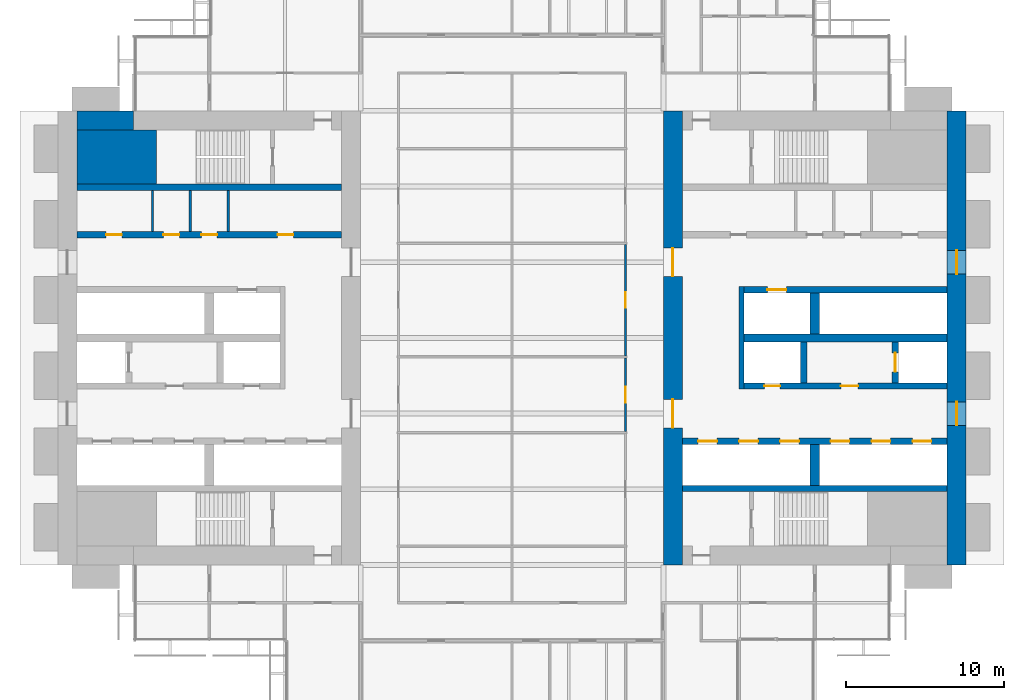
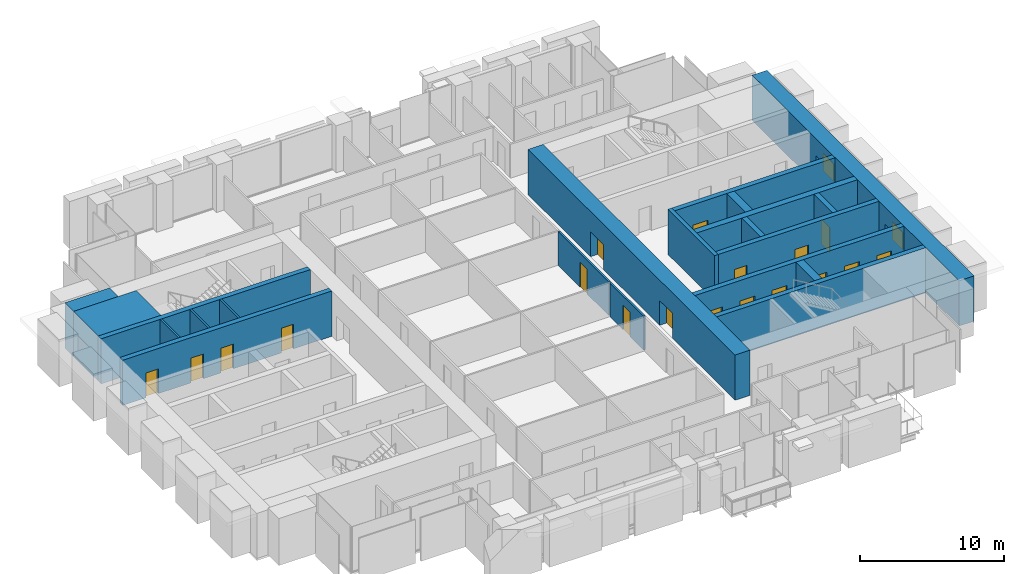
# One storey, part 11 of 15: 21 walls, 18 doors, 2 windows, 20 openings.
"""IFC4 building model written with IfcOpenShell, lengths in metres."""

from ifc_helpers import new_model, si_unit, direction, frame, frame_2d, origin, place, context, subcontext, project, spatial, rectangle, extrude, material, layer, layer_set, type_object, element, fill, save


model = new_model("IFC4")

# Units and contexts
model_context = context("Model", 3, precision=1e-05, world=origin(), true_north=direction((0.0, 1.0)))
body_context = subcontext(model_context, "Body", "Model", "MODEL_VIEW")
ifc_project = project(units=[si_unit("LENGTHUNIT", "METRE"), si_unit("AREAUNIT", "SQUARE_METRE"), si_unit("VOLUMEUNIT", "CUBIC_METRE"), si_unit("PLANEANGLEUNIT", "RADIAN"), si_unit("MASSUNIT", "GRAM", prefix="KILO")], contexts=[model_context])

# Site, building, storey
site_placement = place(None, origin())
site = spatial("IfcSite", under=ifc_project, at=site_placement, CompositionType="ELEMENT")
building_placement = place(site_placement, origin())
building = spatial("IfcBuilding", under=site, at=building_placement, Name="Baori Bourse Tower", CompositionType="ELEMENT")
storey_placement = place(building_placement, frame((0.0, 0.0, 59.0)))
storey = spatial("IfcBuildingStorey", under=building, at=storey_placement, Name="L12", CompositionType="ELEMENT", Elevation=59.0)

# Walls
ifc_material_1 = material(Name="Concrete f'c 70 MPa", Category="concrete")
wall_type_1 = type_object("IfcWallType", Name="Core corner block f'c 70", PredefinedType="SHEAR", material=ifc_material_1)
wall_1_placement = place(storey_placement, frame((1.199951171875, 35.47509765625, 0.0), z_axis=(0.0, 0.0, 1.0), x_axis=(1.0, 0.0, 0.0)))
element("IfcWall", 1, at=wall_1_placement, inside=storey, type_object=wall_type_1, Name="Core wall W22", PredefinedType="SHEAR", context=body_context, shape_type="SweptSolid", body=[
    extrude(rectangle(XDim=5.050048828125, YDim=3.449951171875, at=frame_2d((2.52490234375, 0.0))), origin(), (0.0, 0.0, 1.0), 3.840087890625),
])
ifc_material_2 = material(Name="Blockwork partition", Category="masonry")
ifc_layer_1 = layer(ifc_material_2, 0.14990234375)
ifc_layer_set_1 = layer_set([ifc_layer_1], Name="Core partition 150")
wall_type_2 = type_object("IfcWallType", Name="Core partition 150", PredefinedType="PARTITIONING", material=ifc_layer_set_1)
for number, where, z_axis, x_axis, name in (
    (2, (6.0, 30.75, 0.0), (0.0, 0.0, 1.0), (0.0, 1.0, 0.0), "Partition wall W18"),
    (3, (8.39990234375, 30.75, 0.0), (0.0, 0.0, 1.0), (0.0, 1.0, 0.0), "Partition wall W19"),
    (4, (10.800048828125, 30.75, 0.0), (0.0, 0.0, 1.0), (0.0, 1.0, 0.0), "Partition wall W20"),
):
    element("IfcWall", number, at=place(storey_placement, frame(where, z_axis=z_axis, x_axis=x_axis)), inside=storey, type_object=wall_type_2, Name=name, PredefinedType="PARTITIONING", context=body_context, shape_type="SweptSolid", body=[
        extrude(rectangle(XDim=2.60009765625, YDim=0.14990234375, at=frame_2d((1.300048828125, 0.0))), origin(), (0.0, 0.0, 1.0), 3.840087890625),
    ])
ifc_material_3 = material(Name="Concrete f'c 70 MPa", Category="concrete")
ifc_layer_2 = layer(ifc_material_3, 1.199951171875)
ifc_layer_set_2 = layer_set([ifc_layer_2], Name="Core wall 1200 f'c 70")
wall_type_3 = type_object("IfcWallType", Name="Core wall 1200 f'c 70", PredefinedType="SHEAR", material=ifc_layer_set_2)
wall_2_placement = place(storey_placement, frame((1.199951171875, 37.800048828125, 0.0), z_axis=(0.0, 0.0, 1.0), x_axis=(1.0, 0.0, 0.0)))
element("IfcWall", 5, at=wall_2_placement, inside=storey, type_object=wall_type_3, Name="Core wall W24", PredefinedType="SHEAR", context=body_context, shape_type="SweptSolid", body=[
    extrude(rectangle(XDim=3.60009765625, YDim=1.199951171875, at=frame_2d((1.800048828125, 0.0))), origin(), (0.0, 0.0, 1.0), 3.840087890625),
])

# Wall, openings, windows
wall_3_placement = place(storey_placement, frame((57.0, 38.39990234375, 0.0), z_axis=(0.0, 0.0, 1.0), x_axis=(0.0, -1.0, 0.0)))
wall_3 = element("IfcWall", 6, at=wall_3_placement, inside=storey, type_object=wall_type_3, Name="Core wall E01", PredefinedType="SHEAR", context=body_context, shape_type="SweptSolid", body=[
    extrude(rectangle(XDim=28.7998046875, YDim=1.199951171875, at=frame_2d((14.39990234375, 0.0))), origin(), (0.0, 0.0, 1.0), 3.840087890625),
])
opening_1_placement = place(wall_3_placement, frame((18.449951171875, 0.0, 0.89990234375)))
opening_1 = element("IfcOpeningElement", 7, at=opening_1_placement, cuts=wall_3, Name="Opening L12-KW201", PredefinedType="OPENING", context=body_context, shape_type="SweptSolid", body=[
    extrude(rectangle(XDim=1.5, YDim=1.5, at=frame_2d((0.75, 0.75))), frame((0.0, 0.60986328125, 0.0), z_axis=(0.0, -1.0, 0.0), x_axis=(1.0, 0.0, 0.0)), (0.0, 0.0, 1.0), 1.219970703125),
])
opening_2_placement = place(wall_3_placement, frame((8.85009765625, 0.0, 0.89990234375)))
opening_2 = element("IfcOpeningElement", 8, at=opening_2_placement, cuts=wall_3, Name="Opening L12-KW202", PredefinedType="OPENING", context=body_context, shape_type="SweptSolid", body=[
    extrude(rectangle(XDim=1.5, YDim=1.5, at=frame_2d((0.75, 0.75))), frame((0.0, 0.60986328125, 0.0), z_axis=(0.0, -1.0, 0.0), x_axis=(1.0, 0.0, 0.0)), (0.0, 0.0, 1.0), 1.219970703125),
])
ifc_material_4 = material(Name="Pale anodised aluminium", Category="aluminium")
window_type = type_object("IfcWindowType", Name="Lobby window 1500 x 1500", PartitioningType="SINGLE_PANEL", PredefinedType="WINDOW", material=ifc_material_4)
window_1_placement = place(opening_1_placement, origin())
window_1 = element("IfcWindow", 9, at=window_1_placement, inside=storey, type_object=window_type, Name="Outer wall window E L12 1", OverallHeight=1.5, OverallWidth=1.5, PartitioningType="SINGLE_PANEL", PredefinedType="WINDOW", context=body_context, shape_type="SweptSolid", body=[
    extrude(rectangle(XDim=1.5, YDim=1.5, at=frame_2d((0.75, 0.75))), frame((0.0, 0.030029296875, 0.0), z_axis=(0.0, -1.0, 0.0), x_axis=(1.0, 0.0, 0.0)), (0.0, 0.0, 1.0), 0.06005859375),
])
fill(opening_1, window_1)
window_2_placement = place(opening_2_placement, origin())
window_2 = element("IfcWindow", 10, at=window_2_placement, inside=storey, type_object=window_type, Name="Outer wall window E L12 2", OverallHeight=1.5, OverallWidth=1.5, PartitioningType="SINGLE_PANEL", PredefinedType="WINDOW", context=body_context, shape_type="SweptSolid", body=[
    extrude(rectangle(XDim=1.5, YDim=1.5, at=frame_2d((0.75, 0.75))), frame((0.0, 0.030029296875, 0.0), z_axis=(0.0, -1.0, 0.0), x_axis=(1.0, 0.0, 0.0)), (0.0, 0.0, 1.0), 0.06005859375),
])
fill(opening_2, window_2)

# Wall, openings, doors
wall_4_placement = place(storey_placement, frame((39.0, 9.60009765625, 0.0), z_axis=(0.0, 0.0, 1.0), x_axis=(0.0, 1.0, 0.0)))
wall_4 = element("IfcWall", 11, at=wall_4_placement, inside=storey, type_object=wall_type_3, Name="Core wall E04", PredefinedType="SHEAR", context=body_context, shape_type="SweptSolid", body=[
    extrude(rectangle(XDim=28.7998046875, YDim=1.199951171875, at=frame_2d((14.39990234375, 0.0))), origin(), (0.0, 0.0, 1.0), 3.840087890625),
])
opening_3_placement = place(wall_4_placement, frame((8.699951171875, 0.0, 0.0)))
opening_3 = element("IfcOpeningElement", 12, at=opening_3_placement, cuts=wall_4, Name="Opening L12-D207", PredefinedType="OPENING", context=body_context, shape_type="SweptSolid", body=[
    extrude(rectangle(XDim=1.800048828125, YDim=2.10009765625, at=frame_2d((0.89990234375, 1.050048828125))), frame((0.0, 0.60986328125, 0.0), z_axis=(0.0, -1.0, 0.0), x_axis=(1.0, 0.0, 0.0)), (0.0, 0.0, 1.0), 1.219970703125),
])
opening_4_placement = place(wall_4_placement, frame((18.300048828125, 0.0, 0.0)))
opening_4 = element("IfcOpeningElement", 13, at=opening_4_placement, cuts=wall_4, Name="Opening L12-D208", PredefinedType="OPENING", context=body_context, shape_type="SweptSolid", body=[
    extrude(rectangle(XDim=1.800048828125, YDim=2.10009765625, at=frame_2d((0.89990234375, 1.050048828125))), frame((0.0, 0.60986328125, 0.0), z_axis=(0.0, -1.0, 0.0), x_axis=(1.0, 0.0, 0.0)), (0.0, 0.0, 1.0), 1.219970703125),
])
ifc_material_5 = material(Name="Painted steel door", Category="steel")
door_type_1 = type_object("IfcDoorType", Name="Core lobby door 1800", OperationType="DOUBLE_DOOR_SINGLE_SWING", PredefinedType="DOOR", material=ifc_material_5)
door_1_placement = place(opening_3_placement, origin())
door_1 = element("IfcDoor", 14, at=door_1_placement, inside=storey, type_object=door_type_1, Name="Lobby door E L12", OperationType="DOUBLE_DOOR_SINGLE_SWING", OverallHeight=2.10009765625, OverallWidth=1.800048828125, PredefinedType="DOOR", context=body_context, shape_type="SweptSolid", body=[
    extrude(rectangle(XDim=1.800048828125, YDim=2.10009765625, at=frame_2d((0.89990234375, 1.050048828125))), frame((0.0, 0.02490234375, 0.0), z_axis=(0.0, -1.0, 0.0), x_axis=(1.0, 0.0, 0.0)), (0.0, 0.0, 1.0), 0.050048828125),
])
fill(opening_3, door_1)
door_2_placement = place(opening_4_placement, origin())
door_2 = element("IfcDoor", 15, at=door_2_placement, inside=storey, type_object=door_type_1, Name="Lobby door E L12", OperationType="DOUBLE_DOOR_SINGLE_SWING", OverallHeight=2.10009765625, OverallWidth=1.800048828125, PredefinedType="DOOR", context=body_context, shape_type="SweptSolid", body=[
    extrude(rectangle(XDim=1.800048828125, YDim=2.10009765625, at=frame_2d((0.89990234375, 1.050048828125))), frame((0.0, 0.02490234375, 0.0), z_axis=(0.0, -1.0, 0.0), x_axis=(1.0, 0.0, 0.0)), (0.0, 0.0, 1.0), 0.050048828125),
])
fill(opening_4, door_2)

# Wall, opening, door
ifc_material_6 = material(Name="Gypsum board partition")
ifc_layer_3 = layer(ifc_material_6, 0.14990234375)
ifc_layer_set_3 = layer_set([ifc_layer_3], Name="Corridor partition 150")
wall_type_4 = type_object("IfcWallType", Name="Corridor partition 150", PredefinedType="PARTITIONING", material=ifc_layer_set_3)
wall_5_placement = place(storey_placement, frame((36.0, 18.0625, 0.0), z_axis=(0.0, 0.0, 1.0), x_axis=(0.0, 1.0, 0.0)))
wall_5 = element("IfcWall", 16, at=wall_5_placement, inside=storey, type_object=wall_type_4, Name="Partition", PredefinedType="PARTITIONING", context=body_context, shape_type="SweptSolid", body=[
    extrude(rectangle(XDim=4.675048828125, YDim=0.14990234375, at=frame_2d((2.33740234375, 0.0))), origin(), (0.0, 0.0, 1.0), 2.86962890625),
])
opening_5_placement = place(wall_5_placement, frame((1.83740234375, 0.0, 0.0)))
opening_5 = element("IfcOpeningElement", 17, at=opening_5_placement, cuts=wall_5, Name="Opening L12-D28", PredefinedType="OPENING", context=body_context, shape_type="SweptSolid", body=[
    extrude(rectangle(XDim=1.0, YDim=2.10009765625, at=frame_2d((0.5, 1.050048828125))), frame((0.0, 0.0849609375, 0.0), z_axis=(0.0, -1.0, 0.0), x_axis=(1.0, 0.0, 0.0)), (0.0, 0.0, 1.0), 0.169921875),
])
ifc_material_7 = material(Name="Timber door leaf", Category="wood")
door_type_2 = type_object("IfcDoorType", Name="Door 1000 x 2100", OperationType="SINGLE_SWING_LEFT", PredefinedType="DOOR", material=ifc_material_7)
door_3_placement = place(opening_5_placement, origin())
door_3 = element("IfcDoor", 18, at=door_3_placement, inside=storey, type_object=door_type_2, Name="Door", OperationType="SINGLE_SWING_RIGHT", OverallHeight=2.10009765625, OverallWidth=1.0, PredefinedType="DOOR", context=body_context, shape_type="SweptSolid", body=[
    extrude(rectangle(XDim=1.0, YDim=2.10009765625, at=frame_2d((0.5, 1.050048828125))), frame((0.0, 0.02490234375, 0.0), z_axis=(0.0, -1.0, 0.0), x_axis=(1.0, 0.0, 0.0)), (0.0, 0.0, 1.0), 0.050048828125),
])
fill(opening_5, door_3)

wall_6_placement = place(storey_placement, frame((36.0, 22.862548828125, 0.0), z_axis=(0.0, 0.0, 1.0), x_axis=(0.0, 1.0, 0.0)))
wall_6 = element("IfcWall", 19, at=wall_6_placement, inside=storey, type_object=wall_type_4, Name="Partition", PredefinedType="PARTITIONING", context=body_context, shape_type="SweptSolid", body=[
    extrude(rectangle(XDim=7.074951171875, YDim=0.14990234375, at=frame_2d((3.53759765625, 0.0))), origin(), (0.0, 0.0, 1.0), 2.86962890625),
])
opening_6_placement = place(wall_6_placement, frame((3.03759765625, 0.0, 0.0)))
opening_6 = element("IfcOpeningElement", 20, at=opening_6_placement, cuts=wall_6, Name="Opening L12-D29", PredefinedType="OPENING", context=body_context, shape_type="SweptSolid", body=[
    extrude(rectangle(XDim=1.0, YDim=2.10009765625, at=frame_2d((0.5, 1.050048828125))), frame((0.0, 0.0849609375, 0.0), z_axis=(0.0, -1.0, 0.0), x_axis=(1.0, 0.0, 0.0)), (0.0, 0.0, 1.0), 0.169921875),
])
door_4_placement = place(opening_6_placement, origin())
door_4 = element("IfcDoor", 21, at=door_4_placement, inside=storey, type_object=door_type_2, Name="Door", OperationType="SINGLE_SWING_RIGHT", OverallHeight=2.10009765625, OverallWidth=1.0, PredefinedType="DOOR", context=body_context, shape_type="SweptSolid", body=[
    extrude(rectangle(XDim=1.0, YDim=2.10009765625, at=frame_2d((0.5, 1.050048828125))), frame((0.0, 0.02490234375, 0.0), z_axis=(0.0, -1.0, 0.0), x_axis=(1.0, 0.0, 0.0)), (0.0, 0.0, 1.0), 0.050048828125),
])
fill(opening_6, door_4)

# Wall
ifc_material_8 = material(Name="Concrete f'c 70 MPa", Category="concrete")
ifc_layer_4 = layer(ifc_material_8, 0.300048828125)
ifc_layer_set_4 = layer_set([ifc_layer_4], Name="Shaft wall 300 f'c 70")
wall_type_5 = type_object("IfcWallType", Name="Shaft wall 300 f'c 70", PredefinedType="SHEAR", material=ifc_layer_set_4)
wall_7_placement = place(storey_placement, frame((43.35009765625, 20.75, 0.0), z_axis=(0.0, 0.0, 1.0), x_axis=(0.0, 1.0, 0.0)))
element("IfcWall", 22, at=wall_7_placement, inside=storey, type_object=wall_type_5, Name="Core wall E11", PredefinedType="SHEAR", context=body_context, shape_type="SweptSolid", body=[
    extrude(rectangle(XDim=6.5, YDim=0.300048828125, at=frame_2d((3.25, 0.0))), origin(), (0.0, 0.0, 1.0), 3.840087890625),
])

# Wall, openings, doors
ifc_material_9 = material(Name="Concrete f'c 70 MPa", Category="concrete")
ifc_layer_5 = layer(ifc_material_9, 0.39990234375)
ifc_layer_set_5 = layer_set([ifc_layer_5], Name="Shaft wall 400 f'c 70")
wall_type_6 = type_object("IfcWallType", Name="Shaft wall 400 f'c 70", PredefinedType="SHEAR", material=ifc_layer_set_5)
wall_8_placement = place(storey_placement, frame((1.199951171875, 30.550048828125, 0.0), z_axis=(0.0, 0.0, 1.0), x_axis=(1.0, 0.0, 0.0)))
wall_8 = element("IfcWall", 23, at=wall_8_placement, inside=storey, type_object=wall_type_6, Name="Core wall W17", PredefinedType="SHEAR", context=body_context, shape_type="SweptSolid", body=[
    extrude(rectangle(XDim=16.800048828125, YDim=0.39990234375, at=frame_2d((8.39990234375, 0.0))), origin(), (0.0, 0.0, 1.0), 3.840087890625),
])
opening_7_placement = place(wall_8_placement, frame((1.862548828125, 0.0, 0.0)))
opening_7 = element("IfcOpeningElement", 24, at=opening_7_placement, cuts=wall_8, Name="Opening L12-D109", PredefinedType="OPENING", context=body_context, shape_type="SweptSolid", body=[
    extrude(rectangle(XDim=1.0, YDim=2.10009765625, at=frame_2d((0.5, 1.050048828125))), frame((0.0, 0.2099609375, 0.0), z_axis=(0.0, -1.0, 0.0), x_axis=(1.0, 0.0, 0.0)), (0.0, 0.0, 1.0), 0.419921875),
])
opening_8_placement = place(wall_8_placement, frame((5.5, 0.0, 0.0)))
opening_8 = element("IfcOpeningElement", 25, at=opening_8_placement, cuts=wall_8, Name="Opening L12-D110", PredefinedType="OPENING", context=body_context, shape_type="SweptSolid", body=[
    extrude(rectangle(XDim=1.0, YDim=2.10009765625, at=frame_2d((0.5, 1.050048828125))), frame((0.0, 0.2099609375, 0.0), z_axis=(0.0, -1.0, 0.0), x_axis=(1.0, 0.0, 0.0)), (0.0, 0.0, 1.0), 0.419921875),
])
opening_9_placement = place(wall_8_placement, frame((7.89990234375, 0.0, 0.0)))
opening_9 = element("IfcOpeningElement", 26, at=opening_9_placement, cuts=wall_8, Name="Opening L12-D111", PredefinedType="OPENING", context=body_context, shape_type="SweptSolid", body=[
    extrude(rectangle(XDim=1.0, YDim=2.10009765625, at=frame_2d((0.5, 1.050048828125))), frame((0.0, 0.2099609375, 0.0), z_axis=(0.0, -1.0, 0.0), x_axis=(1.0, 0.0, 0.0)), (0.0, 0.0, 1.0), 0.419921875),
])
opening_10_placement = place(wall_8_placement, frame((12.737548828125, 0.0, 0.0)))
opening_10 = element("IfcOpeningElement", 27, at=opening_10_placement, cuts=wall_8, Name="Opening L12-D112", PredefinedType="OPENING", context=body_context, shape_type="SweptSolid", body=[
    extrude(rectangle(XDim=1.0, YDim=2.10009765625, at=frame_2d((0.5, 1.050048828125))), frame((0.0, 0.2099609375, 0.0), z_axis=(0.0, -1.0, 0.0), x_axis=(1.0, 0.0, 0.0)), (0.0, 0.0, 1.0), 0.419921875),
])
ifc_material_10 = material(Name="Painted steel door", Category="steel")
door_type_3 = type_object("IfcDoorType", Name="Core door 1000", OperationType="SINGLE_SWING_LEFT", PredefinedType="DOOR", material=ifc_material_10)
door_5_placement = place(opening_7_placement, origin())
door_5 = element("IfcDoor", 28, at=door_5_placement, inside=storey, type_object=door_type_3, Name="Women'S Wc door W L12", OperationType="SINGLE_SWING_LEFT", OverallHeight=2.10009765625, OverallWidth=1.0, PredefinedType="DOOR", context=body_context, shape_type="SweptSolid", body=[
    extrude(rectangle(XDim=1.0, YDim=2.10009765625, at=frame_2d((0.5, 1.050048828125))), frame((0.0, 0.02490234375, 0.0), z_axis=(0.0, -1.0, 0.0), x_axis=(1.0, 0.0, 0.0)), (0.0, 0.0, 1.0), 0.050048828125),
])
fill(opening_7, door_5)
door_6_placement = place(opening_8_placement, origin())
door_6 = element("IfcDoor", 29, at=door_6_placement, inside=storey, type_object=door_type_3, Name="Accessible Wc door W L12", OperationType="SINGLE_SWING_LEFT", OverallHeight=2.10009765625, OverallWidth=1.0, PredefinedType="DOOR", context=body_context, shape_type="SweptSolid", body=[
    extrude(rectangle(XDim=1.0, YDim=2.10009765625, at=frame_2d((0.5, 1.050048828125))), frame((0.0, 0.02490234375, 0.0), z_axis=(0.0, -1.0, 0.0), x_axis=(1.0, 0.0, 0.0)), (0.0, 0.0, 1.0), 0.050048828125),
])
fill(opening_8, door_6)
door_7_placement = place(opening_10_placement, origin())
door_7 = element("IfcDoor", 30, at=door_7_placement, inside=storey, type_object=door_type_3, Name="Men'S Wc door W L12", OperationType="SINGLE_SWING_LEFT", OverallHeight=2.10009765625, OverallWidth=1.0, PredefinedType="DOOR", context=body_context, shape_type="SweptSolid", body=[
    extrude(rectangle(XDim=1.0, YDim=2.10009765625, at=frame_2d((0.5, 1.050048828125))), frame((0.0, 0.02490234375, 0.0), z_axis=(0.0, -1.0, 0.0), x_axis=(1.0, 0.0, 0.0)), (0.0, 0.0, 1.0), 0.050048828125),
])
fill(opening_10, door_7)
ifc_material_11 = material(Name="Painted steel door", Category="steel")
door_type_4 = type_object("IfcDoorType", Name="Plant room door 1000", OperationType="SINGLE_SWING_LEFT", PredefinedType="DOOR", material=ifc_material_11)
door_8_placement = place(opening_9_placement, origin())
door_8 = element("IfcDoor", 31, at=door_8_placement, inside=storey, type_object=door_type_4, Name="Plumbing Equipment Room door W L12", OperationType="SINGLE_SWING_LEFT", OverallHeight=2.10009765625, OverallWidth=1.0, PredefinedType="DOOR", context=body_context, shape_type="SweptSolid", body=[
    extrude(rectangle(XDim=1.0, YDim=2.10009765625, at=frame_2d((0.5, 1.050048828125))), frame((0.0, 0.02490234375, 0.0), z_axis=(0.0, -1.0, 0.0), x_axis=(1.0, 0.0, 0.0)), (0.0, 0.0, 1.0), 0.050048828125),
])
fill(opening_9, door_8)

# Walls
wall_9_placement = place(storey_placement, frame((1.199951171875, 33.550048828125, 0.0), z_axis=(0.0, 0.0, 1.0), x_axis=(1.0, 0.0, 0.0)))
element("IfcWall", 32, at=wall_9_placement, inside=storey, type_object=wall_type_6, Name="Core wall W21", PredefinedType="SHEAR", context=body_context, shape_type="SweptSolid", body=[
    extrude(rectangle(XDim=16.800048828125, YDim=0.39990234375, at=frame_2d((8.39990234375, 0.0))), origin(), (0.0, 0.0, 1.0), 3.840087890625),
])
wall_10_placement = place(storey_placement, frame((39.60009765625, 14.449951171875, 0.0), z_axis=(0.0, 0.0, 1.0), x_axis=(1.0, 0.0, 0.0)))
element("IfcWall", 33, at=wall_10_placement, inside=storey, type_object=wall_type_6, Name="Core wall E07", PredefinedType="SHEAR", context=body_context, shape_type="SweptSolid", body=[
    extrude(rectangle(XDim=16.7998046875, YDim=0.39990234375, at=frame_2d((8.39990234375, 0.0))), origin(), (0.0, 0.0, 1.0), 3.840087890625),
])

# Wall, openings, doors
wall_11_placement = place(storey_placement, frame((39.60009765625, 17.449951171875, 0.0), z_axis=(0.0, 0.0, 1.0), x_axis=(1.0, 0.0, 0.0)))
wall_11 = element("IfcWall", 34, at=wall_11_placement, inside=storey, type_object=wall_type_6, Name="Core wall E09", PredefinedType="SHEAR", context=body_context, shape_type="SweptSolid", body=[
    extrude(rectangle(XDim=16.7998046875, YDim=0.39990234375, at=frame_2d((8.39990234375, 0.0))), origin(), (0.0, 0.0, 1.0), 3.840087890625),
])
opening_11_placement = place(wall_11_placement, frame((14.60009765625, 0.0, 0.0)))
opening_11 = element("IfcOpeningElement", 35, at=opening_11_placement, cuts=wall_11, Name="Opening L12-D213", PredefinedType="OPENING", context=body_context, shape_type="SweptSolid", body=[
    extrude(rectangle(XDim=1.199951171875, YDim=2.10009765625, at=frame_2d((0.60009765625, 1.050048828125))), frame((0.0, 0.2099609375, 0.0), z_axis=(0.0, -1.0, 0.0), x_axis=(1.0, 0.0, 0.0)), (0.0, 0.0, 1.0), 0.419921875),
])
opening_12_placement = place(wall_11_placement, frame((12.0, 0.0, 0.0)))
opening_12 = element("IfcOpeningElement", 36, at=opening_12_placement, cuts=wall_11, Name="Opening L12-D214", PredefinedType="OPENING", context=body_context, shape_type="SweptSolid", body=[
    extrude(rectangle(XDim=1.199951171875, YDim=2.10009765625, at=frame_2d((0.60009765625, 1.050048828125))), frame((0.0, 0.2099609375, 0.0), z_axis=(0.0, -1.0, 0.0), x_axis=(1.0, 0.0, 0.0)), (0.0, 0.0, 1.0), 0.419921875),
])
opening_13_placement = place(wall_11_placement, frame((9.39990234375, 0.0, 0.0)))
opening_13 = element("IfcOpeningElement", 37, at=opening_13_placement, cuts=wall_11, Name="Opening L12-D215", PredefinedType="OPENING", context=body_context, shape_type="SweptSolid", body=[
    extrude(rectangle(XDim=1.199951171875, YDim=2.10009765625, at=frame_2d((0.60009765625, 1.050048828125))), frame((0.0, 0.2099609375, 0.0), z_axis=(0.0, -1.0, 0.0), x_axis=(1.0, 0.0, 0.0)), (0.0, 0.0, 1.0), 0.419921875),
])
opening_14_placement = place(wall_11_placement, frame((6.199951171875, 0.0, 0.0)))
opening_14 = element("IfcOpeningElement", 38, at=opening_14_placement, cuts=wall_11, Name="Opening L12-D216", PredefinedType="OPENING", context=body_context, shape_type="SweptSolid", body=[
    extrude(rectangle(XDim=1.199951171875, YDim=2.10009765625, at=frame_2d((0.60009765625, 1.050048828125))), frame((0.0, 0.2099609375, 0.0), z_axis=(0.0, -1.0, 0.0), x_axis=(1.0, 0.0, 0.0)), (0.0, 0.0, 1.0), 0.419921875),
])
opening_15_placement = place(wall_11_placement, frame((3.60009765625, 0.0, 0.0)))
opening_15 = element("IfcOpeningElement", 39, at=opening_15_placement, cuts=wall_11, Name="Opening L12-D217", PredefinedType="OPENING", context=body_context, shape_type="SweptSolid", body=[
    extrude(rectangle(XDim=1.199951171875, YDim=2.10009765625, at=frame_2d((0.60009765625, 1.050048828125))), frame((0.0, 0.2099609375, 0.0), z_axis=(0.0, -1.0, 0.0), x_axis=(1.0, 0.0, 0.0)), (0.0, 0.0, 1.0), 0.419921875),
])
opening_16_placement = place(wall_11_placement, frame((1.0, 0.0, 0.0)))
opening_16 = element("IfcOpeningElement", 40, at=opening_16_placement, cuts=wall_11, Name="Opening L12-D218", PredefinedType="OPENING", context=body_context, shape_type="SweptSolid", body=[
    extrude(rectangle(XDim=1.199951171875, YDim=2.10009765625, at=frame_2d((0.60009765625, 1.050048828125))), frame((0.0, 0.2099609375, 0.0), z_axis=(0.0, -1.0, 0.0), x_axis=(1.0, 0.0, 0.0)), (0.0, 0.0, 1.0), 0.419921875),
])
ifc_material_12 = material(Name="Stainless steel door", Category="steel")
door_type_5 = type_object("IfcDoorType", Name="Lift landing door", OperationType="DOUBLE_DOOR_SLIDING", PredefinedType="DOOR", material=ifc_material_12)
door_9_placement = place(opening_11_placement, origin())
door_9 = element("IfcDoor", 41, at=door_9_placement, inside=storey, type_object=door_type_5, Name="Lift landing door LR1 E L12", OperationType="DOUBLE_DOOR_SLIDING", OverallHeight=2.10009765625, OverallWidth=1.199951171875, PredefinedType="DOOR", context=body_context, shape_type="SweptSolid", body=[
    extrude(rectangle(XDim=1.199951171875, YDim=2.10009765625, at=frame_2d((0.60009765625, 1.050048828125))), frame((0.0, 0.02490234375, 0.0), z_axis=(0.0, -1.0, 0.0), x_axis=(1.0, 0.0, 0.0)), (0.0, 0.0, 1.0), 0.050048828125),
])
fill(opening_11, door_9)
door_10_placement = place(opening_12_placement, origin())
door_10 = element("IfcDoor", 42, at=door_10_placement, inside=storey, type_object=door_type_5, Name="Lift landing door LR2 E L12", OperationType="DOUBLE_DOOR_SLIDING", OverallHeight=2.10009765625, OverallWidth=1.199951171875, PredefinedType="DOOR", context=body_context, shape_type="SweptSolid", body=[
    extrude(rectangle(XDim=1.199951171875, YDim=2.10009765625, at=frame_2d((0.60009765625, 1.050048828125))), frame((0.0, 0.02490234375, 0.0), z_axis=(0.0, -1.0, 0.0), x_axis=(1.0, 0.0, 0.0)), (0.0, 0.0, 1.0), 0.050048828125),
])
fill(opening_12, door_10)
door_11_placement = place(opening_13_placement, origin())
door_11 = element("IfcDoor", 43, at=door_11_placement, inside=storey, type_object=door_type_5, Name="Lift landing door LR3 E L12", OperationType="DOUBLE_DOOR_SLIDING", OverallHeight=2.10009765625, OverallWidth=1.199951171875, PredefinedType="DOOR", context=body_context, shape_type="SweptSolid", body=[
    extrude(rectangle(XDim=1.199951171875, YDim=2.10009765625, at=frame_2d((0.60009765625, 1.050048828125))), frame((0.0, 0.02490234375, 0.0), z_axis=(0.0, -1.0, 0.0), x_axis=(1.0, 0.0, 0.0)), (0.0, 0.0, 1.0), 0.050048828125),
])
fill(opening_13, door_11)
door_12_placement = place(opening_14_placement, origin())
door_12 = element("IfcDoor", 44, at=door_12_placement, inside=storey, type_object=door_type_5, Name="Lift landing door LR4 E L12", OperationType="DOUBLE_DOOR_SLIDING", OverallHeight=2.10009765625, OverallWidth=1.199951171875, PredefinedType="DOOR", context=body_context, shape_type="SweptSolid", body=[
    extrude(rectangle(XDim=1.199951171875, YDim=2.10009765625, at=frame_2d((0.60009765625, 1.050048828125))), frame((0.0, 0.02490234375, 0.0), z_axis=(0.0, -1.0, 0.0), x_axis=(1.0, 0.0, 0.0)), (0.0, 0.0, 1.0), 0.050048828125),
])
fill(opening_14, door_12)
door_13_placement = place(opening_15_placement, origin())
door_13 = element("IfcDoor", 45, at=door_13_placement, inside=storey, type_object=door_type_5, Name="Lift landing door LR5 E L12", OperationType="DOUBLE_DOOR_SLIDING", OverallHeight=2.10009765625, OverallWidth=1.199951171875, PredefinedType="DOOR", context=body_context, shape_type="SweptSolid", body=[
    extrude(rectangle(XDim=1.199951171875, YDim=2.10009765625, at=frame_2d((0.60009765625, 1.050048828125))), frame((0.0, 0.02490234375, 0.0), z_axis=(0.0, -1.0, 0.0), x_axis=(1.0, 0.0, 0.0)), (0.0, 0.0, 1.0), 0.050048828125),
])
fill(opening_15, door_13)
door_14_placement = place(opening_16_placement, origin())
door_14 = element("IfcDoor", 46, at=door_14_placement, inside=storey, type_object=door_type_5, Name="Lift landing door LR6 E L12", OperationType="DOUBLE_DOOR_SLIDING", OverallHeight=2.10009765625, OverallWidth=1.199951171875, PredefinedType="DOOR", context=body_context, shape_type="SweptSolid", body=[
    extrude(rectangle(XDim=1.199951171875, YDim=2.10009765625, at=frame_2d((0.60009765625, 1.050048828125))), frame((0.0, 0.02490234375, 0.0), z_axis=(0.0, -1.0, 0.0), x_axis=(1.0, 0.0, 0.0)), (0.0, 0.0, 1.0), 0.050048828125),
])
fill(opening_16, door_14)

wall_12_placement = place(storey_placement, frame((43.5, 20.949951171875, 0.0), z_axis=(0.0, 0.0, 1.0), x_axis=(1.0, 0.0, 0.0)))
wall_12 = element("IfcWall", 47, at=wall_12_placement, inside=storey, type_object=wall_type_6, Name="Core wall E10", PredefinedType="SHEAR", context=body_context, shape_type="SweptSolid", body=[
    extrude(rectangle(XDim=12.89990234375, YDim=0.39990234375, at=frame_2d((6.449951171875, 0.0))), origin(), (0.0, 0.0, 1.0), 3.840087890625),
])
opening_17_placement = place(wall_12_placement, frame((6.14990234375, 0.0, 0.0)))
opening_17 = element("IfcOpeningElement", 48, at=opening_17_placement, cuts=wall_12, Name="Opening L12-D205", PredefinedType="OPENING", context=body_context, shape_type="SweptSolid", body=[
    extrude(rectangle(XDim=1.10009765625, YDim=2.10009765625, at=frame_2d((0.550048828125, 1.050048828125))), frame((0.0, 0.2099609375, 0.0), z_axis=(0.0, -1.0, 0.0), x_axis=(1.0, 0.0, 0.0)), (0.0, 0.0, 1.0), 0.419921875),
])
opening_18_placement = place(wall_12_placement, frame((1.300048828125, 0.0, 0.0)))
opening_18 = element("IfcOpeningElement", 49, at=opening_18_placement, cuts=wall_12, Name="Opening L12-D206", PredefinedType="OPENING", context=body_context, shape_type="SweptSolid", body=[
    extrude(rectangle(XDim=1.0, YDim=2.10009765625, at=frame_2d((0.5, 1.050048828125))), frame((0.0, 0.2099609375, 0.0), z_axis=(0.0, -1.0, 0.0), x_axis=(1.0, 0.0, 0.0)), (0.0, 0.0, 1.0), 0.419921875),
])
ifc_material_13 = material(Name="Painted steel door", Category="steel")
door_type_6 = type_object("IfcDoorType", Name="Lobby door 1100", OperationType="SINGLE_SWING_LEFT", PredefinedType="DOOR", material=ifc_material_13)
door_15_placement = place(opening_17_placement, origin())
door_15 = element("IfcDoor", 50, at=door_15_placement, inside=storey, type_object=door_type_6, Name="Firefighting lobby door E L12", OperationType="SINGLE_SWING_LEFT", OverallHeight=2.10009765625, OverallWidth=1.10009765625, PredefinedType="DOOR", context=body_context, shape_type="SweptSolid", body=[
    extrude(rectangle(XDim=1.10009765625, YDim=2.10009765625, at=frame_2d((0.550048828125, 1.050048828125))), frame((0.0, 0.02490234375, 0.0), z_axis=(0.0, -1.0, 0.0), x_axis=(1.0, 0.0, 0.0)), (0.0, 0.0, 1.0), 0.050048828125),
])
fill(opening_17, door_15)
ifc_material_14 = material(Name="Painted steel door", Category="steel")
door_type_7 = type_object("IfcDoorType", Name="Shaft door 1000", OperationType="SINGLE_SWING_LEFT", PredefinedType="DOOR", material=ifc_material_14)
door_16_placement = place(opening_18_placement, origin())
door_16 = element("IfcDoor", 51, at=door_16_placement, inside=storey, type_object=door_type_7, Name="Riser room door E L12", OperationType="SINGLE_SWING_LEFT", OverallHeight=2.10009765625, OverallWidth=1.0, PredefinedType="DOOR", context=body_context, shape_type="SweptSolid", body=[
    extrude(rectangle(XDim=1.0, YDim=2.10009765625, at=frame_2d((0.5, 1.050048828125))), frame((0.0, 0.02490234375, 0.0), z_axis=(0.0, -1.0, 0.0), x_axis=(1.0, 0.0, 0.0)), (0.0, 0.0, 1.0), 0.050048828125),
])
fill(opening_18, door_16)

# Wall, opening, door
wall_13_placement = place(storey_placement, frame((53.10009765625, 21.14990234375, 0.0), z_axis=(0.0, 0.0, 1.0), x_axis=(0.0, 1.0, 0.0)))
wall_13 = element("IfcWall", 52, at=wall_13_placement, inside=storey, type_object=wall_type_6, Name="Core wall E12", PredefinedType="SHEAR", context=body_context, shape_type="SweptSolid", body=[
    extrude(rectangle(XDim=2.60009765625, YDim=0.39990234375, at=frame_2d((1.300048828125, 0.0))), origin(), (0.0, 0.0, 1.0), 3.840087890625),
])
opening_19_placement = place(wall_13_placement, frame((0.699951171875, 0.0, 0.0)))
opening_19 = element("IfcOpeningElement", 53, at=opening_19_placement, cuts=wall_13, Name="Opening L12-D220", PredefinedType="OPENING", context=body_context, shape_type="SweptSolid", body=[
    extrude(rectangle(XDim=1.199951171875, YDim=2.10009765625, at=frame_2d((0.60009765625, 1.050048828125))), frame((0.0, 0.2099609375, 0.0), z_axis=(0.0, -1.0, 0.0), x_axis=(1.0, 0.0, 0.0)), (0.0, 0.0, 1.0), 0.419921875),
])
door_17_placement = place(opening_19_placement, origin())
door_17 = element("IfcDoor", 54, at=door_17_placement, inside=storey, type_object=door_type_5, Name="Lift landing door FF2 E L12", OperationType="DOUBLE_DOOR_SLIDING", OverallHeight=2.10009765625, OverallWidth=1.199951171875, PredefinedType="DOOR", context=body_context, shape_type="SweptSolid", body=[
    extrude(rectangle(XDim=1.199951171875, YDim=2.10009765625, at=frame_2d((0.60009765625, 1.050048828125))), frame((0.0, 0.02490234375, 0.0), z_axis=(0.0, -1.0, 0.0), x_axis=(1.0, 0.0, 0.0)), (0.0, 0.0, 1.0), 0.050048828125),
])
fill(opening_19, door_17)

# Wall
wall_14_placement = place(storey_placement, frame((47.300048828125, 21.14990234375, 0.0), z_axis=(0.0, 0.0, 1.0), x_axis=(0.0, 1.0, 0.0)))
element("IfcWall", 55, at=wall_14_placement, inside=storey, type_object=wall_type_6, Name="Core wall E13", PredefinedType="SHEAR", context=body_context, shape_type="SweptSolid", body=[
    extrude(rectangle(XDim=2.60009765625, YDim=0.39990234375, at=frame_2d((1.300048828125, 0.0))), origin(), (0.0, 0.0, 1.0), 3.840087890625),
])

# Wall, opening, door
wall_15_placement = place(storey_placement, frame((43.5, 27.050048828125, 0.0), z_axis=(0.0, 0.0, 1.0), x_axis=(1.0, 0.0, 0.0)))
wall_15 = element("IfcWall", 56, at=wall_15_placement, inside=storey, type_object=wall_type_6, Name="Core wall E16", PredefinedType="SHEAR", context=body_context, shape_type="SweptSolid", body=[
    extrude(rectangle(XDim=12.89990234375, YDim=0.39990234375, at=frame_2d((6.449951171875, 0.0))), origin(), (0.0, 0.0, 1.0), 3.840087890625),
])
opening_20_placement = place(wall_15_placement, frame((1.5, 0.0, 0.0)))
opening_20 = element("IfcOpeningElement", 57, at=opening_20_placement, cuts=wall_15, Name="Opening L12-D219", PredefinedType="OPENING", context=body_context, shape_type="SweptSolid", body=[
    extrude(rectangle(XDim=1.199951171875, YDim=2.10009765625, at=frame_2d((0.60009765625, 1.050048828125))), frame((0.0, 0.2099609375, 0.0), z_axis=(0.0, -1.0, 0.0), x_axis=(1.0, 0.0, 0.0)), (0.0, 0.0, 1.0), 0.419921875),
])
door_18_placement = place(opening_20_placement, origin())
door_18 = element("IfcDoor", 58, at=door_18_placement, inside=storey, type_object=door_type_5, Name="Lift landing door SV1 E L12", OperationType="DOUBLE_DOOR_SLIDING", OverallHeight=2.10009765625, OverallWidth=1.199951171875, PredefinedType="DOOR", context=body_context, shape_type="SweptSolid", body=[
    extrude(rectangle(XDim=1.199951171875, YDim=2.10009765625, at=frame_2d((0.60009765625, 1.050048828125))), frame((0.0, 0.02490234375, 0.0), z_axis=(0.0, -1.0, 0.0), x_axis=(1.0, 0.0, 0.0)), (0.0, 0.0, 1.0), 0.050048828125),
])
fill(opening_20, door_18)

# Walls
ifc_material_15 = material(Name="Concrete f'c 70 MPa", Category="concrete")
ifc_layer_6 = layer(ifc_material_15, 0.5)
ifc_layer_set_6 = layer_set([ifc_layer_6], Name="Shaft wall 500 f'c 70")
wall_type_7 = type_object("IfcWallType", Name="Shaft wall 500 f'c 70", PredefinedType="SHEAR", material=ifc_layer_set_6)
wall_16_placement = place(storey_placement, frame((43.5, 24.0, 0.0), z_axis=(0.0, 0.0, 1.0), x_axis=(1.0, 0.0, 0.0)))
element("IfcWall", 59, at=wall_16_placement, inside=storey, type_object=wall_type_7, Name="Core wall E14", PredefinedType="SHEAR", context=body_context, shape_type="SweptSolid", body=[
    extrude(rectangle(XDim=12.89990234375, YDim=0.5, at=frame_2d((6.449951171875, 0.0))), origin(), (0.0, 0.0, 1.0), 3.840087890625),
])
ifc_material_16 = material(Name="Concrete f'c 70 MPa", Category="concrete")
ifc_layer_7 = layer(ifc_material_16, 0.60009765625)
ifc_layer_set_7 = layer_set([ifc_layer_7], Name="Shaft wall 600 f'c 70")
wall_type_8 = type_object("IfcWallType", Name="Shaft wall 600 f'c 70", PredefinedType="SHEAR", material=ifc_layer_set_7)
for number, where, z_axis, x_axis, name in (
    (60, (48.0, 14.64990234375, 0.0), (0.0, 0.0, 1.0), (0.0, 1.0, 0.0), "Core wall E08"),
    (61, (48.0, 24.25, 0.0), (0.0, 0.0, 1.0), (0.0, 1.0, 0.0), "Core wall E15"),
):
    element("IfcWall", number, at=place(storey_placement, frame(where, z_axis=z_axis, x_axis=x_axis)), inside=storey, type_object=wall_type_8, Name=name, PredefinedType="SHEAR", context=body_context, shape_type="SweptSolid", body=[
        extrude(rectangle(XDim=2.60009765625, YDim=0.60009765625, at=frame_2d((1.300048828125, 0.0))), origin(), (0.0, 0.0, 1.0), 3.840087890625),
    ])

save(model, "model.ifc")
